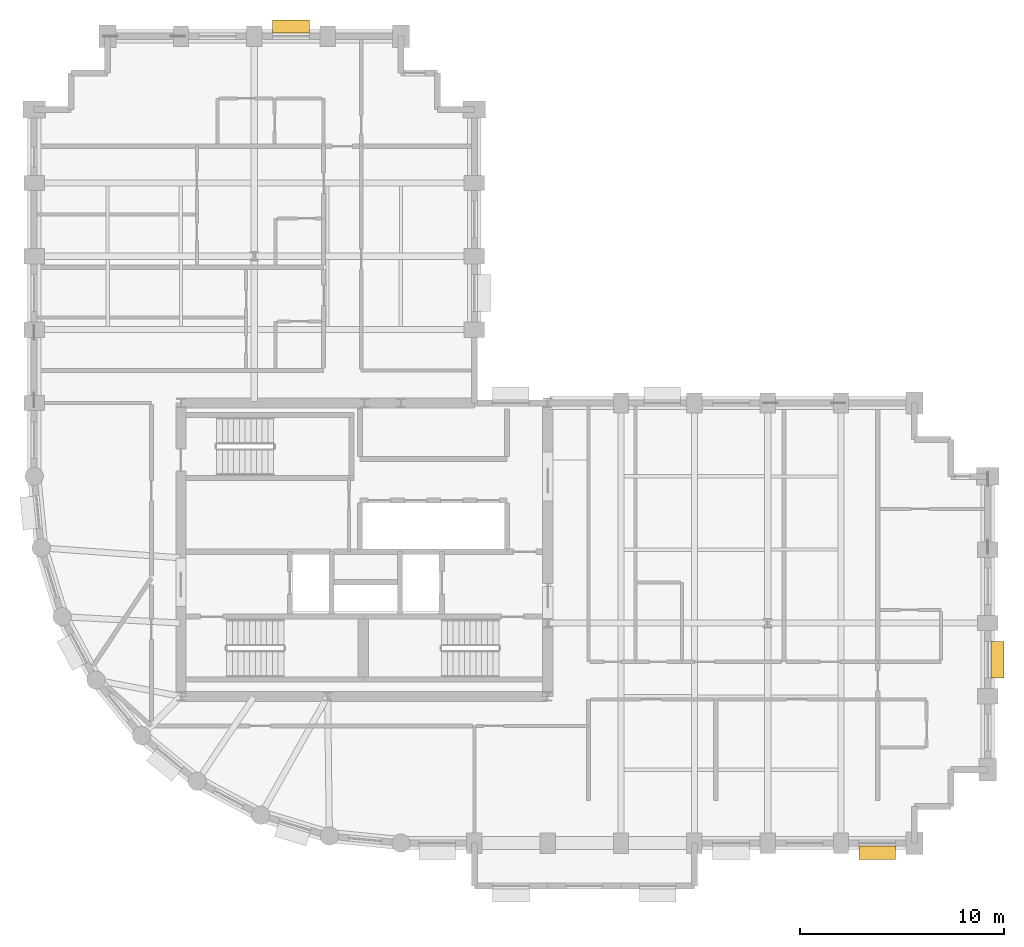
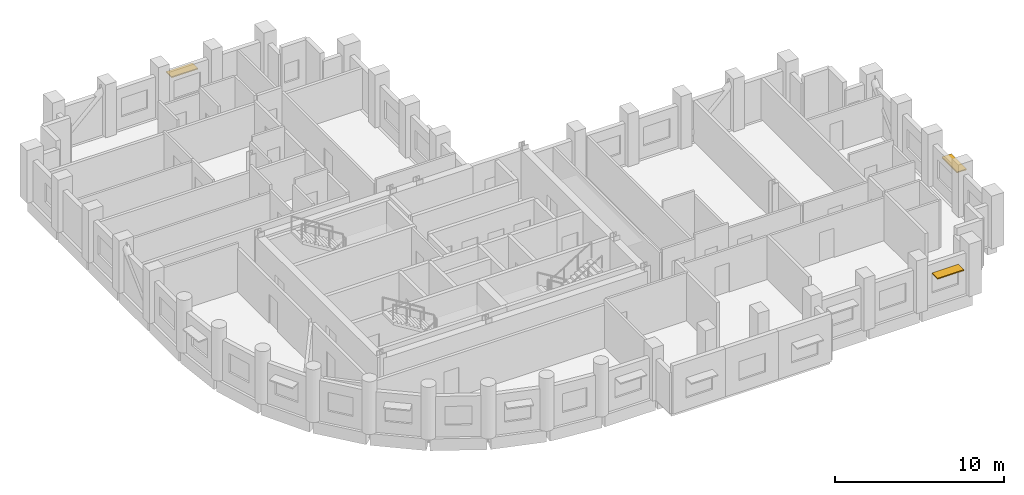
# One storey, part 11 of 11: 3 shading devices.
"""IFC4 building model written with IfcOpenShell, lengths in metres."""

import ifcopenshell
import ifcopenshell.guid

model = None  # the IFC model being written
_history = None  # IfcOwnerHistory: only IFC2X3 demands one
_inside = {}  # id of a spatial element -> (the spatial element, [elements in it])
_under = {}  # id of a project, library or spatial element -> (it, [spatial elements below it])
_declared = {}  # id of a project -> (the project, [libraries it declares])
_typed = {}  # id of a type object -> (the type object, [elements of that type])
_made_of = {}  # id of a material, layer set ... -> (it, [elements and type objects made of it])


def new_model(schema):
    """Start an empty IFC model of exactly this schema.

    Asked for "IFC4X3", IfcOpenShell would pick the latest addendum, in which some entities
    have other attributes; the version numbers below select the first issue.
    IFC2X3 requires an IfcOwnerHistory on every rooted entity: one is made here for all.
    """
    global model, _history
    if schema == "IFC4X3":
        model = ifcopenshell.file(schema_version=(4, 3, 0, 0))
    else:
        model = ifcopenshell.file(schema=schema)
    _inside.clear()
    _under.clear()
    _declared.clear()
    _typed.clear()
    _made_of.clear()
    _history = None
    if model.schema == "IFC2X3":
        org = make("IfcOrganization", Name="unknown")
        user = make(
            "IfcPersonAndOrganization",
            ThePerson=make("IfcPerson", FamilyName="unknown"),
            TheOrganization=org,
        )
        app = make(
            "IfcApplication",
            ApplicationDeveloper=org,
            Version="unknown",
            ApplicationFullName="unknown",
            ApplicationIdentifier="unknown",
        )
        _history = make(
            "IfcOwnerHistory",
            OwningUser=user,
            OwningApplication=app,
            ChangeAction="ADDED",
            CreationDate=0,
        )
    return model


def make(cls, **values):
    """One entity of the class cls with the attributes given. An attribute that is None is left unset."""
    return model.create_entity(
        cls, **{name: value for name, value in values.items() if value is not None}
    )


def rooted(cls, **values):
    """An entity with a GlobalId (a new one), such as an element, a storey or a relation."""
    return make(cls, GlobalId=ifcopenshell.guid.new(), OwnerHistory=_history, **values)


def si_unit(unit_type, name, prefix=None):
    """IfcSIUnit, for example si_unit("LENGTHUNIT", "METRE", prefix="MILLI")."""
    return make("IfcSIUnit", UnitType=unit_type, Prefix=prefix, Name=name)


def assignment(units):
    """IfcUnitAssignment: the units of a project."""
    return None if units is None else make("IfcUnitAssignment", Units=units)


def point(xyz):
    """IfcCartesianPoint."""
    return None if xyz is None else make("IfcCartesianPoint", Coordinates=xyz)


def direction(xyz):
    """IfcDirection."""
    return None if xyz is None else make("IfcDirection", DirectionRatios=xyz)


def frame(location, z_axis=None, x_axis=None):
    """IfcAxis2Placement3D, a coordinate frame: its origin and axes. An axis left out is left unset."""
    return make(
        "IfcAxis2Placement3D",
        Location=point(location),
        Axis=direction(z_axis),
        RefDirection=direction(x_axis),
    )


def frame_2d(location, x_axis=None):
    """IfcAxis2Placement2D, a coordinate frame in the plane: its origin and x axis."""
    return make(
        "IfcAxis2Placement2D", Location=point(location), RefDirection=direction(x_axis)
    )


def origin():
    """The frame at (0, 0, 0) with its axes left unset."""
    return frame((0.0, 0.0, 0.0))


def origin_2d():
    """The frame at (0, 0) in the plane with its x axis left unset."""
    return frame_2d((0.0, 0.0))


def place(relative_to, where):
    """IfcLocalPlacement: puts the frame where relative to a parent placement (None: the world)."""
    return make(
        "IfcLocalPlacement", PlacementRelTo=relative_to, RelativePlacement=where
    )


def context(
    kind, dimensions, precision=None, world=None, true_north=None, identifier=None
):
    """IfcGeometricRepresentationContext, for example the 3D "Model" context."""
    return make(
        "IfcGeometricRepresentationContext",
        ContextIdentifier=identifier,
        ContextType=kind,
        CoordinateSpaceDimension=dimensions,
        Precision=precision,
        WorldCoordinateSystem=world,
        TrueNorth=true_north,
    )


def subcontext(parent, identifier, kind, view, scale=None):
    """IfcGeometricRepresentationSubContext, for example "Body" below "Model"."""
    return make(
        "IfcGeometricRepresentationSubContext",
        ContextIdentifier=identifier,
        ContextType=kind,
        ParentContext=parent,
        TargetScale=scale,
        TargetView=view,
    )


def project(units=None, contexts=None):
    """IfcProject with its units and contexts."""
    return rooted(
        "IfcProject",
        Name="project",
        RepresentationContexts=contexts,
        UnitsInContext=assignment(units),
    )


def spatial(cls, under=None, at=None, **own):
    """A site, building, storey or space (cls), placed at a placement, below another one or the project."""
    s = rooted(cls, ObjectPlacement=at, **own)
    if under is not None:
        _under.setdefault(under.id(), (under, []))[1].append(s)
    return s


def profile(cls, at=None, kind="AREA", **sizes):
    """A parametric profile (cls). Its sizes go by their IFC names, for example OverallWidth=200.0."""
    return make(cls, ProfileType=kind, Position=at, **sizes)


def rectangle(**sizes):
    """IfcRectangleProfileDef."""
    return profile("IfcRectangleProfileDef", **sizes)


def extrude(swept, where, along, depth):
    """IfcExtrudedAreaSolid: the profile swept, set in the frame where, extruded along a direction by depth."""
    return make(
        "IfcExtrudedAreaSolid",
        SweptArea=swept,
        Position=where,
        ExtrudedDirection=direction(along),
        Depth=depth,
    )


def shape(context_of_items, identifier, shape_type, items):
    """IfcShapeRepresentation: the items that make up one representation, for example the "Body"."""
    return make(
        "IfcShapeRepresentation",
        ContextOfItems=context_of_items,
        RepresentationIdentifier=identifier,
        RepresentationType=shape_type,
        Items=items,
    )


def material(Name=None, Category=None):
    """IfcMaterial."""
    return make("IfcMaterial", Name=Name, Category=Category)


def layer(
    of_material, thickness, ventilated=None, Name=None, Category=None, Priority=None
):
    """IfcMaterialLayer: one layer of a wall or slab, of a material (None: an air gap)."""
    return make(
        "IfcMaterialLayer",
        Material=of_material,
        LayerThickness=thickness,
        IsVentilated=ventilated,
        Name=Name,
        Category=Category,
        Priority=Priority,
    )


def layer_set(layers, Name=None):
    """IfcMaterialLayerSet."""
    return make("IfcMaterialLayerSet", MaterialLayers=layers, LayerSetName=Name)


def made_of(thing, what):
    """Note that an element or type object is made of a material, layer set ...; save() writes the relation."""
    if what is not None:
        _made_of.setdefault(what.id(), (what, []))[1].append(thing)
    return thing


def type_object(cls, material=None, **own):
    """A type object (cls), such as IfcWallType, which elements share."""
    return made_of(rooted(cls, **own), material)


def element(
    cls,
    number,
    at=None,
    inside=None,
    cuts=None,
    type_object=None,
    material=None,
    context=None,
    identifier="Body",
    shape_type=None,
    held_by="IfcProductDefinitionShape",
    body=None,
    shapes=None,
    **own,
):
    """One element of the class cls, such as IfcWall. Its Tag is "e" and its number.

    at: its placement. inside: the storey or other place that contains it. cuts: it is an
    opening in that element (IfcRelVoidsElement). A single representation is given by context,
    identifier, shape_type and body (its items); several are given by shapes. held_by: the class
    of the entity that holds the representations. save() writes the other relations.
    """
    e = rooted(cls, Tag="e%d" % number, ObjectPlacement=at, **own)
    if body is not None:
        shapes = [shape(context, identifier, shape_type, body)]
    if shapes is not None:
        e.Representation = make(held_by, Representations=shapes)
    if inside is not None:
        _inside.setdefault(inside.id(), (inside, []))[1].append(e)
    if cuts is not None:
        rooted(
            "IfcRelVoidsElement", RelatingBuildingElement=cuts, RelatedOpeningElement=e
        )
    if type_object is not None:
        _typed.setdefault(type_object.id(), (type_object, []))[1].append(e)
    return made_of(e, material)


def aggregate(whole, parts):
    """IfcRelAggregates: a whole, such as a stair, and the parts it consists of."""
    return rooted("IfcRelAggregates", RelatingObject=whole, RelatedObjects=parts)


def save(model, path):
    """Write the relations noted so far, then the file.

    IfcRelAggregates (storeys below a building ...), IfcRelContainedInSpatialStructure (elements
    in a storey), IfcRelDefinesByType, IfcRelAssociatesMaterial and IfcRelDeclares: one each for
    every whole, place, type object, material and project.
    """
    for whole, parts in _under.values():
        aggregate(whole, parts)
    for where, things in _inside.values():
        rooted(
            "IfcRelContainedInSpatialStructure",
            RelatedElements=things,
            RelatingStructure=where,
        )
    for kind, things in _typed.values():
        rooted("IfcRelDefinesByType", RelatedObjects=things, RelatingType=kind)
    for what, things in _made_of.values():
        rooted("IfcRelAssociatesMaterial", RelatedObjects=things, RelatingMaterial=what)
    for by, libraries in _declared.values():
        rooted("IfcRelDeclares", RelatingContext=by, RelatedDefinitions=libraries)
    model.write(path)


model = new_model("IFC4")

# Units and contexts
model_context = context("Model", 3, precision=1e-05, world=origin(), true_north=direction((0.0, 1.0)))
body_context = subcontext(model_context, "Body", "Model", "MODEL_VIEW")
ifc_project = project(units=[si_unit("LENGTHUNIT", "METRE"), si_unit("AREAUNIT", "SQUARE_METRE"), si_unit("VOLUMEUNIT", "CUBIC_METRE"), si_unit("PLANEANGLEUNIT", "RADIAN"), si_unit("MASSUNIT", "GRAM", prefix="KILO")], contexts=[model_context])

# Site, building, storey
site_placement = place(None, origin())
site = spatial("IfcSite", under=ifc_project, at=site_placement, CompositionType="ELEMENT")
building_placement = place(site_placement, origin())
building = spatial("IfcBuilding", under=site, at=building_placement, Name="Solnavia Interchange Tower", CompositionType="ELEMENT")
storey_placement = place(building_placement, frame((0.0, 0.0, 165.60009765625)))
storey = spatial("IfcBuildingStorey", under=building, at=storey_placement, Name="L41", CompositionType="ELEMENT", Elevation=165.60009765625)

# Shading devices
ifc_material = material(Name="Anodised Aluminium Sunshade", Category="aluminium")
ifc_layer = layer(ifc_material, 0.080078125)
ifc_layer_set = layer_set([ifc_layer], Name="Anodised Aluminium Sunshade")
shading_device_type = type_object("IfcShadingDeviceType", Name="Sunshade-Band-650", PredefinedType="SHUTTER", material=ifc_layer_set)
for number, where, z_axis, x_axis, name in (
    (1, (48.574951171875, 3.1298828125, 2.219970703125), (0.0, 0.0, 1.0), (-1.0, 0.0, 0.0), "SHD-L41-09 Horizontal sunshade band"),
    (2, (54.469970703125, 12.60009765625, 2.219970703125), (0.0, 0.0, 1.0), (0.0, -1.0, 0.0), "SHD-L41-15 Horizontal sunshade band"),
    (3, (19.800048828125, 43.669921875, 2.219970703125), (0.0, 0.0, 1.0), (1.0, 0.0, 0.0), "SHD-L41-37 Horizontal sunshade band"),
):
    element("IfcShadingDevice", number, at=place(storey_placement, frame(where, z_axis=z_axis, x_axis=x_axis)), inside=storey, type_object=shading_device_type, Name=name, PredefinedType="SHUTTER", context=body_context, shape_type="SweptSolid", body=[
        extrude(rectangle(XDim=1.800048828125, YDim=0.64990234375, at=origin_2d()), origin(), (0.0, 0.0, 1.0), 0.080078125),
    ])

save(model, "model.ifc")
